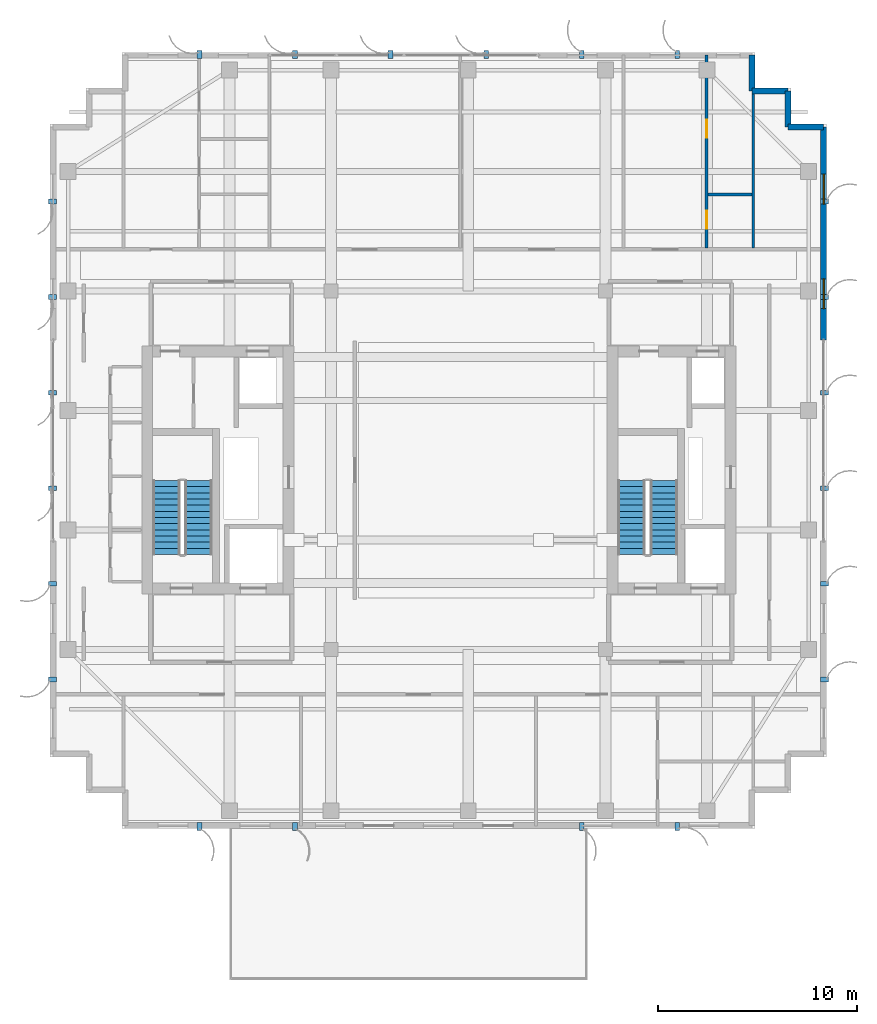
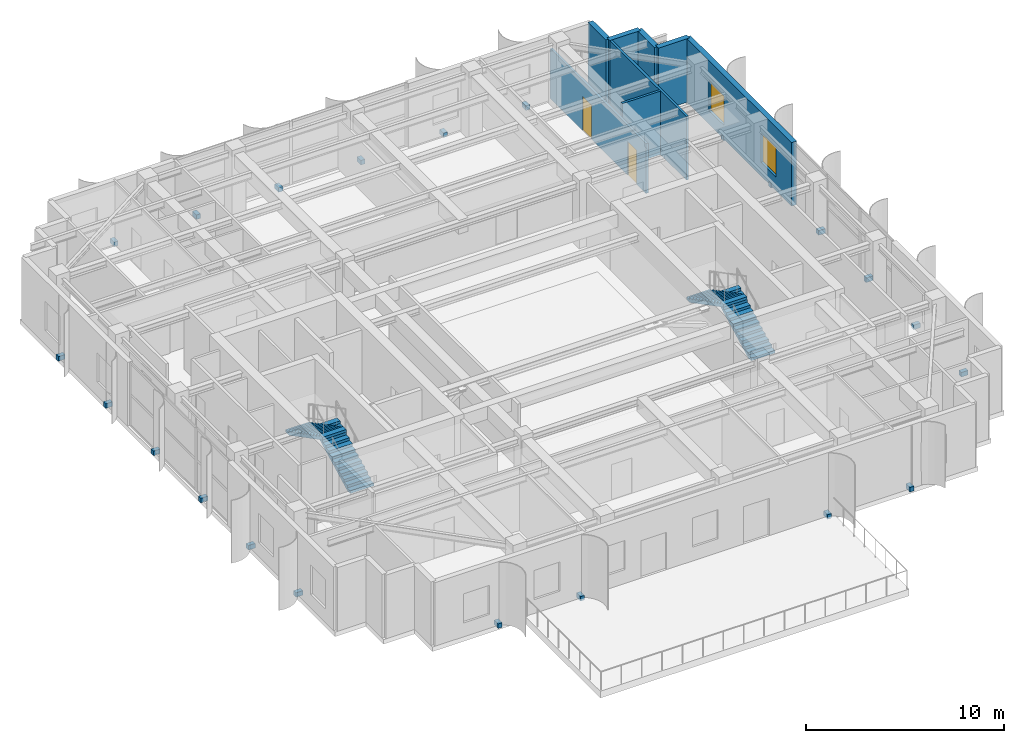
# One storey, part 16 of 19: 22 discrete accessories, 8 walls, 4 stair flights, 2 doors, 2 windows, 4 openings, 2 elements without a shape of their own.
"""IFC4 building model written with IfcOpenShell, lengths in metres."""

from ifc_helpers import new_model, si_unit, direction, frame, frame_2d, origin, origin_2d, place, context, subcontext, project, spatial, polyline, rectangle, outline, extrude, source, transform, mapped, material, layer, layer_set, type_object, element, fill, aggregate, save


model = new_model("IFC4")

# Units and contexts
model_context = context("Model", 3, precision=1e-05, world=origin(), true_north=direction((0.0, 1.0)))
body_context = subcontext(model_context, "Body", "Model", "MODEL_VIEW")
ifc_project = project(units=[si_unit("LENGTHUNIT", "METRE"), si_unit("AREAUNIT", "SQUARE_METRE"), si_unit("VOLUMEUNIT", "CUBIC_METRE"), si_unit("PLANEANGLEUNIT", "RADIAN"), si_unit("MASSUNIT", "GRAM", prefix="KILO")], contexts=[model_context])

# Site, building, storey
site_placement = place(None, origin())
site = spatial("IfcSite", under=ifc_project, at=site_placement, CompositionType="ELEMENT")
building_placement = place(site_placement, origin())
building = spatial("IfcBuilding", under=site, at=building_placement, Name="Khoralis Quay Care Tower", CompositionType="ELEMENT")
storey_placement = place(building_placement, frame((0.0, 0.0, 285.300048828125)))
storey = spatial("IfcBuildingStorey", under=building, at=storey_placement, Name="L75", CompositionType="ELEMENT", Elevation=285.300048828125)

# Wall, openings, windows
ifc_material_1 = material(Name="Precast concrete C45/55", Category="concrete")
ifc_layer_1 = layer(ifc_material_1, 0.300048828125)
ifc_layer_set_1 = layer_set([ifc_layer_1], Name="Precast concrete C45/55")
wall_type_1 = type_object("IfcWallType", Name="WL-EXT-REF-300", PredefinedType="SOLIDWALL", material=ifc_layer_set_1)
wall_1_placement = place(storey_placement, frame((41.85009765625, 27.5400390625, 0.0), z_axis=(0.0, 0.0, 1.0), x_axis=(0.0, 1.0, 0.0)))
wall_1 = element("IfcWall", 1, at=wall_1_placement, inside=storey, type_object=wall_type_1, Name="L75 External Facade Wall WL-EXT-L75-P1-E5B", PredefinedType="SOLIDWALL", context=body_context, shape_type="SweptSolid", body=[
    extrude(rectangle(XDim=10.7099609375, YDim=0.300048828125, at=frame_2d((5.35498046875, 0.0))), origin(), (0.0, 0.0, 1.0), 3.919921875),
])
opening_1_placement = place(wall_1_placement, frame((1.580078125, 0.0, 0.85009765625)))
opening_1 = element("IfcOpeningElement", 2, at=opening_1_placement, cuts=wall_1, Name="Opening W3", PredefinedType="OPENING", context=body_context, shape_type="SweptSolid", body=[
    extrude(rectangle(XDim=1.5, YDim=1.800048828125, at=frame_2d((0.75, 0.89990234375))), frame((0.0, 0.16015625, 0.0), z_axis=(0.0, -1.0, 0.0), x_axis=(1.0, 0.0, 0.0)), (0.0, 0.0, 1.0), 0.320068359375),
])
opening_2_placement = place(wall_1_placement, frame((6.8349609375, 0.0, 0.85009765625)))
opening_2 = element("IfcOpeningElement", 3, at=opening_2_placement, cuts=wall_1, Name="Opening W3", PredefinedType="OPENING", context=body_context, shape_type="SweptSolid", body=[
    extrude(rectangle(XDim=1.5, YDim=1.800048828125, at=frame_2d((0.75, 0.89990234375))), frame((0.0, 0.16015625, 0.0), z_axis=(0.0, -1.0, 0.0), x_axis=(1.0, 0.0, 0.0)), (0.0, 0.0, 1.0), 0.320068359375),
])
ifc_material_2 = material(Name="Low-E solar-control double glazing", Category="glass")
window_type = type_object("IfcWindowType", Name="WN-CLIN-1500X1800", PartitioningType="SINGLE_PANEL", PredefinedType="WINDOW", material=ifc_material_2)
shared_shape_1 = source(origin(), body_context, "Body", "SweptSolid", [
    extrude(rectangle(XDim=1.5, YDim=1.800048828125, at=frame_2d((0.75, 0.89990234375))), frame((0.0, 0.030029296875, 0.0), z_axis=(0.0, -1.0, 0.0), x_axis=(1.0, 0.0, 0.0)), (0.0, 0.0, 1.0), 0.06005859375),
])
window_1_placement = place(opening_1_placement, origin())
window_1 = element("IfcWindow", 4, at=window_1_placement, inside=storey, type_object=window_type, Name="WN-L75-P1-E5B Facade Window 01", OverallHeight=1.800048828125, OverallWidth=1.5, PartitioningType="SINGLE_PANEL", PredefinedType="WINDOW", context=body_context, shape_type="MappedRepresentation", body=[
    mapped(shared_shape_1, transform((0.0, 0.0, 0.0), scale=1.0)),
])
fill(opening_1, window_1)
window_2_placement = place(opening_2_placement, origin())
window_2 = element("IfcWindow", 5, at=window_2_placement, inside=storey, type_object=window_type, Name="WN-L75-P1-E5B Facade Window 02", OverallHeight=1.800048828125, OverallWidth=1.5, PartitioningType="SINGLE_PANEL", PredefinedType="WINDOW", context=body_context, shape_type="MappedRepresentation", body=[
    mapped(shared_shape_1, transform((0.0, 0.0, 0.0), scale=1.0)),
])
fill(opening_2, window_2)

# Walls
for number, where, z_axis, x_axis, name in (
    (6, (41.85009765625, 38.25, 0.0), (0.0, 0.0, 1.0), (-1.0, 0.0, 0.0), "L75 External Facade Wall WL-EXT-L75-P1-C6"),
    (7, (40.050048828125, 38.25, 0.0), (0.0, 0.0, 1.0), (0.0, 1.0, 0.0), "L75 External Facade Wall WL-EXT-L75-P1-C7"),
    (8, (40.050048828125, 40.050048828125, 0.0), (0.0, 0.0, 1.0), (-1.0, 0.0, 0.0), "L75 External Facade Wall WL-EXT-L75-P1-C8"),
    (9, (38.25, 40.050048828125, 0.0), (0.0, 0.0, 1.0), (0.0, 1.0, 0.0), "L75 External Facade Wall WL-EXT-L75-P1-C9"),
):
    element("IfcWall", number, at=place(storey_placement, frame(where, z_axis=z_axis, x_axis=x_axis)), inside=storey, type_object=wall_type_1, Name=name, PredefinedType="SOLIDWALL", context=body_context, shape_type="SweptSolid", body=[
        extrude(rectangle(XDim=1.800048828125, YDim=0.300048828125, at=frame_2d((0.89990234375, 0.0))), origin(), (0.0, 0.0, 1.0), 3.919921875),
    ])

# Wall, openings, doors
ifc_material_3 = material(Name="Moisture-resistant gypsum and ceramic tile")
ifc_layer_2 = layer(ifc_material_3, 0.280029296875)
ifc_layer_set_2 = layer_set([ifc_layer_2], Name="Moisture-resistant gypsum and ceramic tile")
wall_type_2 = type_object("IfcWallType", Name="WL-PLUMB-280", PredefinedType="PLUMBINGWALL", material=ifc_layer_set_2)
wall_2_placement = place(storey_placement, frame((35.969970703125, 32.177490234375, 0.0), z_axis=(0.0, 0.0, 1.0), x_axis=(0.0, 1.0, 0.0)))
wall_2 = element("IfcWall", 10, at=wall_2_placement, inside=storey, type_object=wall_type_2, Name="L75 Care Suite 3 En-Suite Wall V", PredefinedType="PLUMBINGWALL", context=body_context, shape_type="SweptSolid", body=[
    extrude(rectangle(XDim=9.677490234375, YDim=0.139892578125, at=frame_2d((4.8388671875, 0.0))), origin(), (0.0, 0.0, 1.0), 3.070068359375),
])
opening_3_placement = place(wall_2_placement, frame((0.96240234375, 0.0, 0.0)))
opening_3 = element("IfcOpeningElement", 11, at=opening_3_placement, cuts=wall_2, Name="Opening WD1", PredefinedType="OPENING", context=body_context, shape_type="SweptSolid", body=[
    extrude(rectangle(XDim=0.89990234375, YDim=2.10009765625, at=frame_2d((0.449951171875, 1.050048828125))), frame((0.0, 0.080078125, 0.0), z_axis=(0.0, -1.0, 0.0), x_axis=(1.0, 0.0, 0.0)), (0.0, 0.0, 1.0), 0.159912109375),
])
opening_4_placement = place(wall_2_placement, frame((5.5224609375, 0.0, 0.0)))
opening_4 = element("IfcOpeningElement", 12, at=opening_4_placement, cuts=wall_2, Name="Opening WD1", PredefinedType="OPENING", context=body_context, shape_type="SweptSolid", body=[
    extrude(rectangle(XDim=0.89990234375, YDim=2.10009765625, at=frame_2d((0.449951171875, 1.050048828125))), frame((0.0, 0.080078125, 0.0), z_axis=(0.0, -1.0, 0.0), x_axis=(1.0, 0.0, 0.0)), (0.0, 0.0, 1.0), 0.159912109375),
])
ifc_material_4 = material(Name="Acoustic hardwood timber", Category="wood")
door_type = type_object("IfcDoorType", Name="DR-BATH-900X2100", OperationType="NOTDEFINED", PredefinedType="DOOR", material=ifc_material_4)
shared_shape_2 = source(origin(), body_context, "Body", "SweptSolid", [
    extrude(rectangle(XDim=0.89990234375, YDim=2.10009765625, at=frame_2d((0.449951171875, 1.050048828125))), frame((0.0, 0.02490234375, 0.0), z_axis=(0.0, -1.0, 0.0), x_axis=(1.0, 0.0, 0.0)), (0.0, 0.0, 1.0), 0.050048828125),
])
door_1_placement = place(opening_3_placement, frame((0.89990234375, 0.0, 0.0), z_axis=(0.0, 0.0, 1.0), x_axis=(-1.0, 0.0, 0.0)))
door_1 = element("IfcDoor", 13, at=door_1_placement, inside=storey, type_object=door_type, Name="L75 Care CENS Door", OperationType="SINGLE_SWING_LEFT", OverallHeight=2.10009765625, OverallWidth=0.89990234375, PredefinedType="DOOR", context=body_context, shape_type="MappedRepresentation", body=[
    mapped(shared_shape_2, transform((0.0, 0.0, 0.0), scale=1.0)),
])
fill(opening_3, door_1)
door_2_placement = place(opening_4_placement, frame((0.89990234375, 0.0, 0.0), z_axis=(0.0, 0.0, 1.0), x_axis=(-1.0, 0.0, 0.0)))
door_2 = element("IfcDoor", 14, at=door_2_placement, inside=storey, type_object=door_type, Name="L75 Care CSIT Door", OperationType="SINGLE_SWING_RIGHT", OverallHeight=2.10009765625, OverallWidth=0.89990234375, PredefinedType="DOOR", context=body_context, shape_type="MappedRepresentation", body=[
    mapped(shared_shape_2, transform((0.0, 0.0, 0.0), scale=1.0)),
])
fill(opening_4, door_2)

# Walls
wall_3_placement = place(storey_placement, frame((36.034912109375, 34.85009765625, 0.0), z_axis=(0.0, 0.0, 1.0), x_axis=(1.0, 0.0, 0.0)))
element("IfcWall", 15, at=wall_3_placement, inside=storey, type_object=wall_type_2, Name="L75 Care Suite 3 En-Suite Wall H", PredefinedType="PLUMBINGWALL", context=body_context, shape_type="SweptSolid", body=[
    extrude(rectangle(XDim=2.219970703125, YDim=0.139892578125, at=frame_2d((1.10986328125, 0.0))), origin(), (0.0, 0.0, 1.0), 3.919921875),
])
ifc_material_5 = material(Name="Gypsum plasterboard on acoustic metal stud")
ifc_layer_3 = layer(ifc_material_5, 0.139892578125)
ifc_layer_set_3 = layer_set([ifc_layer_3], Name="Gypsum plasterboard on acoustic metal stud")
wall_type_3 = type_object("IfcWallType", Name="WL-UNIT-140", PredefinedType="PARTITIONING", material=ifc_layer_set_3)
wall_4_placement = place(storey_placement, frame((38.320068359375, 32.177490234375, 0.0), z_axis=(0.0, 0.0, 1.0), x_axis=(0.0, 1.0, 0.0)))
element("IfcWall", 16, at=wall_4_placement, inside=storey, type_object=wall_type_3, Name="L75 NB Demising Wall 4", PredefinedType="PARTITIONING", context=body_context, shape_type="SweptSolid", body=[
    extrude(rectangle(XDim=7.87744140625, YDim=0.139892578125, at=frame_2d((3.938720703125, 0.0))), origin(), (0.0, 0.0, 1.0), 3.919921875),
])

# Stair, stair flights
stair_type = type_object("IfcStairType", Name="ST-TWR-DOGLEG-1400", PredefinedType="HALF_TURN_STAIR", material=ifc_material_1)
stair_1_placement = place(storey_placement, origin())
stair_1 = element("IfcStair", 17, at=stair_1_placement, inside=storey, type_object=stair_type, Name="L75 West Core Exit Stair ST-T1", PredefinedType="HALF_TURN_STAIR")
stair_flight_type = type_object("IfcStairFlightType", Name="SF-TWR-1400", PredefinedType="STRAIGHT", material=ifc_material_1)
shared_shape_3 = source(origin(), body_context, "Body", "SweptSolid", [
    extrude(outline(polyline([(0.0, 0.0), (0.0, 0.16162109375), (0.31005859375, 0.16162109375), (0.31005859375, 0.322998046875), (0.6201171875, 0.322998046875), (0.6201171875, 0.484619140625), (0.929931640625, 0.484619140625), (0.929931640625, 0.646240234375), (1.239990234375, 0.646240234375), (1.239990234375, 0.8076171875), (1.550048828125, 0.8076171875), (1.550048828125, 0.96923828125), (1.860107421875, 0.96923828125), (1.860107421875, 1.130859375), (2.169921875, 1.130859375), (2.169921875, 1.292236328125), (2.47998046875, 1.292236328125), (2.47998046875, 1.453857421875), (2.7900390625, 1.453857421875), (2.7900390625, 1.615478515625), (3.10009765625, 1.615478515625), (3.10009765625, 1.77685546875), (3.409912109375, 1.77685546875), (3.409912109375, 1.9384765625), (3.719970703125, 1.9384765625), (3.719970703125, 2.10009765625), (3.719970703125, 1.76953125), (0.324462890625, 0.0), (0.0, 0.0)])), frame((0.0, 0.68994140625, 0.0), z_axis=(0.0, -1.0, 0.0), x_axis=(1.0, 0.0, 0.0)), (0.0, 0.0, 1.0), 1.3798828125),
])
stair_flight_1_placement = place(storey_placement, frame((10.4599609375, 16.77001953125, 0.0), z_axis=(0.0, 0.0, 1.0), x_axis=(0.0, 1.0, 0.0)))
stair_flight_1 = element("IfcStairFlight", 18, at=stair_flight_1_placement, type_object=stair_flight_type, Name="ST-T1 flight 1", NumberOfRisers=13, NumberOfTreads=12, PredefinedType="STRAIGHT", RiserHeight=0.161538462, TreadLength=0.31, context=body_context, shape_type="MappedRepresentation", body=[
    mapped(shared_shape_3, transform((0.0, 0.0, 0.0), scale=1.0)),
])
stair_flight_2_placement = place(storey_placement, frame((8.840087890625, 20.489990234375, 2.099853515625), z_axis=(0.0, 0.0, 1.0), x_axis=(0.0, -1.0, 0.0)))
stair_flight_2 = element("IfcStairFlight", 19, at=stair_flight_2_placement, type_object=stair_flight_type, Name="ST-T1 flight 2", NumberOfRisers=13, NumberOfTreads=12, PredefinedType="STRAIGHT", RiserHeight=0.161538462, TreadLength=0.31, context=body_context, shape_type="MappedRepresentation", body=[
    mapped(shared_shape_3, transform((0.0, 0.0, 0.0), scale=1.0)),
])
aggregate(stair_1, [stair_flight_1, stair_flight_2])

stair_2_placement = place(storey_placement, origin())
stair_2 = element("IfcStair", 20, at=stair_2_placement, inside=storey, type_object=stair_type, Name="L75 East Core Exit Stair ST-T2", PredefinedType="HALF_TURN_STAIR")
stair_flight_3_placement = place(storey_placement, frame((33.830078125, 16.77001953125, 0.0), z_axis=(0.0, 0.0, 1.0), x_axis=(0.0, 1.0, 0.0)))
stair_flight_3 = element("IfcStairFlight", 21, at=stair_flight_3_placement, type_object=stair_flight_type, Name="ST-T2 flight 1", NumberOfRisers=13, NumberOfTreads=12, PredefinedType="STRAIGHT", RiserHeight=0.161538462, TreadLength=0.31, context=body_context, shape_type="MappedRepresentation", body=[
    mapped(shared_shape_3, transform((0.0, 0.0, 0.0), scale=1.0)),
])
stair_flight_4_placement = place(storey_placement, frame((32.2099609375, 20.489990234375, 2.099853515625), z_axis=(0.0, 0.0, 1.0), x_axis=(0.0, -1.0, 0.0)))
stair_flight_4 = element("IfcStairFlight", 22, at=stair_flight_4_placement, type_object=stair_flight_type, Name="ST-T2 flight 2", NumberOfRisers=13, NumberOfTreads=12, PredefinedType="STRAIGHT", RiserHeight=0.161538462, TreadLength=0.31, context=body_context, shape_type="MappedRepresentation", body=[
    mapped(shared_shape_3, transform((0.0, 0.0, 0.0), scale=1.0)),
])
aggregate(stair_2, [stair_flight_3, stair_flight_4])

# Discrete accessories
ifc_material_6 = material(Name="Brushed stainless steel", Category="steel")
discrete_accessory_type = type_object("IfcDiscreteAccessoryType", Name="ACC-FIN-BRACKET", PredefinedType="BRACKET", material=ifc_material_6)
shared_shape_4 = source(origin(), body_context, "Body", "SweptSolid", [
    extrude(rectangle(XDim=0.39990234375, YDim=0.239990234375, at=origin_2d()), origin(), (0.0, 0.0, 1.0), 0.280029296875),
])
for number, where, z_axis, x_axis, name in (
    (23, (10.5, 3.110107421875, -0.1201171875), (0.0, 0.0, 1.0), (0.0, -1.0, 0.0), "L75 Solar Fin Bracket P1E0-01"),
    (24, (15.300048828125, 3.110107421875, -0.1201171875), (0.0, 0.0, 1.0), (0.0, -1.0, 0.0), "L75 Solar Fin Bracket P1E0-02"),
    (25, (29.699951171875, 3.110107421875, -0.1201171875), (0.0, 0.0, 1.0), (0.0, -1.0, 0.0), "L75 Solar Fin Bracket P1E0-05"),
    (26, (34.5, 3.110107421875, -0.1201171875), (0.0, 0.0, 1.0), (0.0, -1.0, 0.0), "L75 Solar Fin Bracket P1E0-06"),
    (27, (41.889892578125, 10.5, -0.1201171875), (0.0, 0.0, 1.0), (1.0, 0.0, 0.0), "L75 Solar Fin Bracket P1E5-01"),
    (28, (41.889892578125, 15.300048828125, -0.1201171875), (0.0, 0.0, 1.0), (1.0, 0.0, 0.0), "L75 Solar Fin Bracket P1E5-02"),
    (29, (41.889892578125, 20.10009765625, -0.1201171875), (0.0, 0.0, 1.0), (1.0, 0.0, 0.0), "L75 Solar Fin Bracket P1E5-03"),
    (30, (41.889892578125, 24.89990234375, -0.1201171875), (0.0, 0.0, 1.0), (1.0, 0.0, 0.0), "L75 Solar Fin Bracket P1E5-04"),
    (31, (41.889892578125, 29.699951171875, -0.1201171875), (0.0, 0.0, 1.0), (1.0, 0.0, 0.0), "L75 Solar Fin Bracket P1E5-05"),
    (32, (41.889892578125, 34.5, -0.1201171875), (0.0, 0.0, 1.0), (1.0, 0.0, 0.0), "L75 Solar Fin Bracket P1E5-06"),
    (33, (34.5, 41.889892578125, -0.1201171875), (0.0, 0.0, 1.0), (0.0, 1.0, 0.0), "L75 Solar Fin Bracket P1E10-01"),
    (34, (29.699951171875, 41.889892578125, -0.1201171875), (0.0, 0.0, 1.0), (0.0, 1.0, 0.0), "L75 Solar Fin Bracket P1E10-02"),
    (35, (24.89990234375, 41.889892578125, -0.1201171875), (0.0, 0.0, 1.0), (0.0, 1.0, 0.0), "L75 Solar Fin Bracket P1E10-03"),
    (36, (20.10009765625, 41.889892578125, -0.1201171875), (0.0, 0.0, 1.0), (0.0, 1.0, 0.0), "L75 Solar Fin Bracket P1E10-04"),
    (37, (15.300048828125, 41.889892578125, -0.1201171875), (0.0, 0.0, 1.0), (0.0, 1.0, 0.0), "L75 Solar Fin Bracket P1E10-05"),
    (38, (10.5, 41.889892578125, -0.1201171875), (0.0, 0.0, 1.0), (0.0, 1.0, 0.0), "L75 Solar Fin Bracket P1E10-06"),
    (39, (3.110107421875, 34.5, -0.1201171875), (0.0, 0.0, 1.0), (-1.0, 0.0, 0.0), "L75 Solar Fin Bracket P1E15-01"),
    (40, (3.110107421875, 29.699951171875, -0.1201171875), (0.0, 0.0, 1.0), (-1.0, 0.0, 0.0), "L75 Solar Fin Bracket P1E15-02"),
    (41, (3.110107421875, 24.89990234375, -0.1201171875), (0.0, 0.0, 1.0), (-1.0, 0.0, 0.0), "L75 Solar Fin Bracket P1E15-03"),
    (42, (3.110107421875, 20.10009765625, -0.1201171875), (0.0, 0.0, 1.0), (-1.0, 0.0, 0.0), "L75 Solar Fin Bracket P1E15-04"),
    (43, (3.110107421875, 15.300048828125, -0.1201171875), (0.0, 0.0, 1.0), (-1.0, 0.0, 0.0), "L75 Solar Fin Bracket P1E15-05"),
    (44, (3.110107421875, 10.5, -0.1201171875), (0.0, 0.0, 1.0), (-1.0, 0.0, 0.0), "L75 Solar Fin Bracket P1E15-06"),
):
    element("IfcDiscreteAccessory", number, at=place(storey_placement, frame(where, z_axis=z_axis, x_axis=x_axis)), inside=storey, type_object=discrete_accessory_type, Name=name, PredefinedType="BRACKET", context=body_context, shape_type="MappedRepresentation", body=[
        mapped(shared_shape_4, transform((0.0, 0.0, 0.0), scale=1.0)),
    ])

save(model, "model.ifc")
